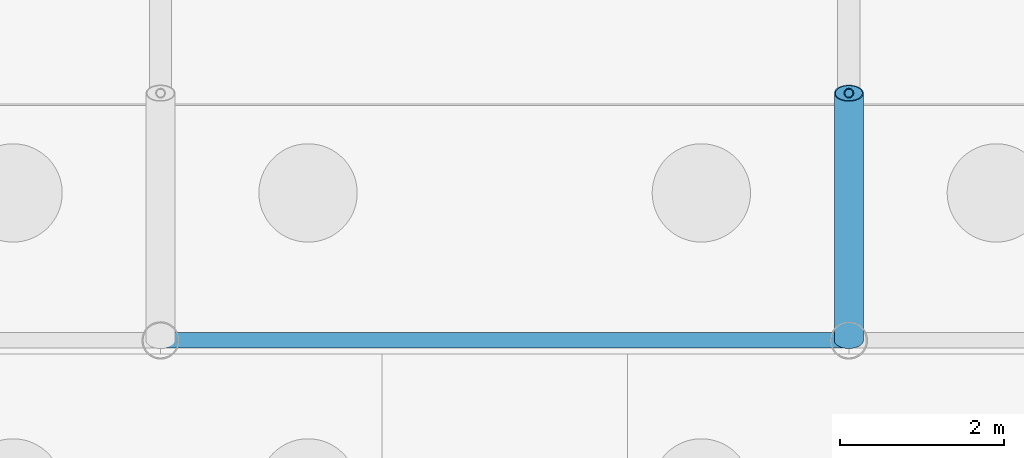
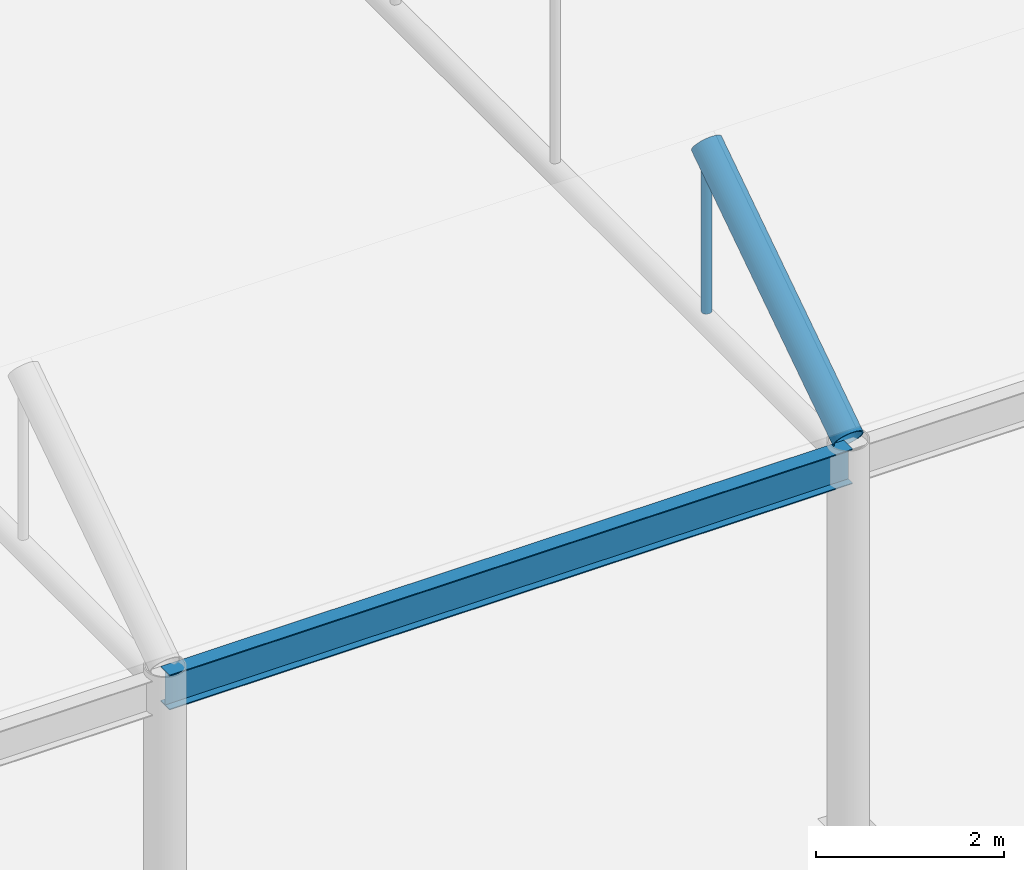
# One storey, part 60 of 212: 2 members, 1 beam.
"""IFC4 building model written with IfcOpenShell, lengths in metres."""

from ifc_helpers import new_model, si_unit, direction, frame, origin, origin_2d, place, context, subcontext, project, spatial, hollow_circle, i_section, extrude, material, material_profile, profile_set, type_object, element, save


model = new_model("IFC4")

# Units and contexts
model_context = context("Model", 3, precision=1e-05, world=origin(), true_north=direction((0.0, 1.0)))
body_context = subcontext(model_context, "Body", "Model", "MODEL_VIEW")
ifc_project = project(units=[si_unit("LENGTHUNIT", "METRE"), si_unit("AREAUNIT", "SQUARE_METRE"), si_unit("VOLUMEUNIT", "CUBIC_METRE"), si_unit("PLANEANGLEUNIT", "RADIAN"), si_unit("MASSUNIT", "GRAM", prefix="KILO")], contexts=[model_context])

# Site, building, storey
site_placement = place(None, origin())
site = spatial("IfcSite", under=ifc_project, at=site_placement, CompositionType="ELEMENT")
building_placement = place(site_placement, origin())
building = spatial("IfcBuilding", under=site, at=building_placement, Name="Catenary Quay Ferry Terminal", CompositionType="ELEMENT")
storey_placement = place(building_placement, origin())
storey = spatial("IfcBuildingStorey", under=building, at=storey_placement, Name="L00", CompositionType="ELEMENT", Elevation=0.0)

# Beam
ifc_material_1 = material(Name="Steel S355", Category="steel")
ifc_material_profile_1 = material_profile(ifc_material_1, i_section(OverallWidth=0.18994140625, OverallDepth=0.453369140625, WebThickness=0.008544921875, FlangeThickness=0.0126953125, at=origin_2d()), Name="UB 457x191x67")
ifc_profile_set_1 = profile_set([ifc_material_profile_1], Name="Steel S355")
beam_type = type_object("IfcBeamType", Name="B1 UB 457x191x67", PredefinedType="BEAM", material=ifc_profile_set_1)
beam_placement = place(storey_placement, frame((58.800048828125, 16.800048828125, 4.699951171875), z_axis=(1.0, 0.0, 0.0), x_axis=(0.0, 1.0, 0.0)))
element("IfcBeam", 1, at=beam_placement, inside=storey, type_object=beam_type, Name="Eaves beam B-CA3-6", PredefinedType="BEAM", context=body_context, shape_type="SweptSolid", body=[
    extrude(i_section(OverallWidth=0.18994140625, OverallDepth=0.453369140625, WebThickness=0.008544921875, FlangeThickness=0.0126953125, at=origin_2d()), origin(), (0.0, 0.0, 1.0), 8.39990234375),
])

# Members
ifc_material_2 = material(Name="Steel S355", Category="steel")
ifc_material_profile_2 = material_profile(ifc_material_2, hollow_circle(Radius=0.05712890625, WallThickness=0.00634765625, at=origin_2d()), Name="CHS 114.3x6.3")
ifc_profile_set_2 = profile_set([ifc_material_profile_2], Name="Steel S355")
member_type_1 = type_object("IfcMemberType", Name="HG1 CHS 114.3x6.3", PredefinedType="POST", material=ifc_profile_set_2)
member_1_placement = place(storey_placement, frame((67.199951171875, 19.818115234375, 4.830078125), z_axis=(0.0, 0.0, 1.0), x_axis=(1.0, 0.0, 0.0)))
element("IfcMember", 2, at=member_1_placement, inside=storey, type_object=member_type_1, Name="Hanger CA-07-01", PredefinedType="POST", context=body_context, shape_type="SweptSolid", body=[
    extrude(hollow_circle(Radius=0.05712890625, WallThickness=0.00634765625, at=origin_2d()), origin(), (0.0, 0.0, 1.0), 2.010986328125),
])
ifc_material_3 = material(Name="Steel S355", Category="steel")
ifc_material_profile_3 = material_profile(ifc_material_3, hollow_circle(Radius=0.177734375, WallThickness=0.012451171875, at=origin_2d()), Name="CHS 355.6x12.5")
ifc_profile_set_3 = profile_set([ifc_material_profile_3], Name="Steel S355")
member_type_2 = type_object("IfcMemberType", Name="VR1 CHS 355.6x12.5", PredefinedType="RAFTER", material=ifc_profile_set_3)
member_2_placement = place(storey_placement, frame((67.199951171875, 16.800048828125, 5.0), z_axis=(0.0, 0.831936388081, 0.554871017613), x_axis=(-1.0, 0.0, 0.0)))
element("IfcMember", 3, at=member_2_placement, inside=storey, type_object=member_type_2, Name="rib CA-07-01", PredefinedType="RAFTER", context=body_context, shape_type="SweptSolid", body=[
    extrude(hollow_circle(Radius=0.177734375, WallThickness=0.012451171875, at=origin_2d()), origin(), (0.0, 0.0, 1.0), 3.627685546875),
])

save(model, "model.ifc")
